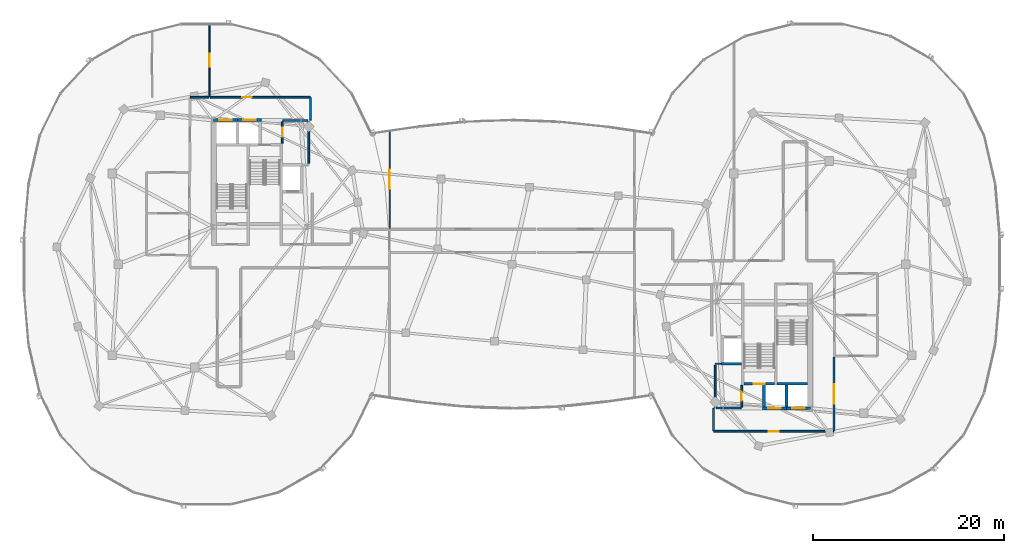
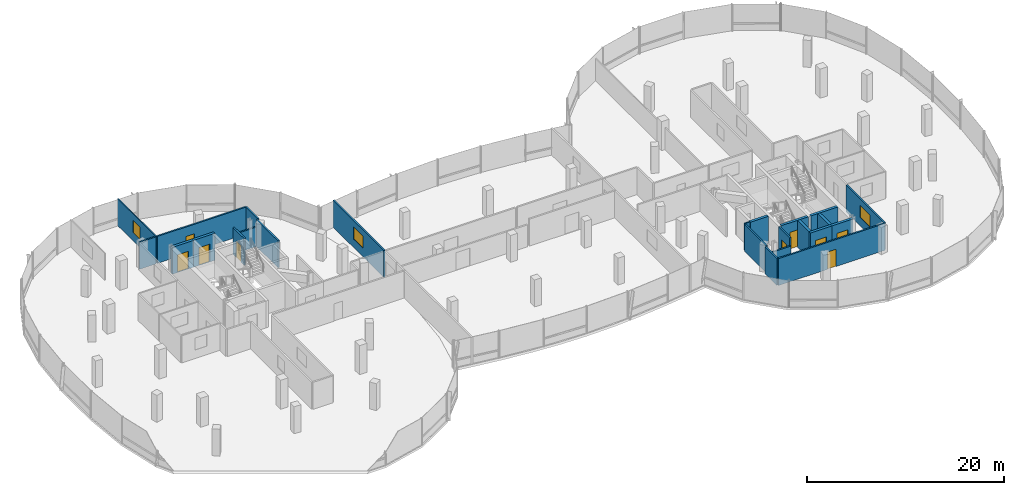
# One storey, part 15 of 25: 24 walls, 9 doors, 3 windows, 12 openings.
"""IFC4 building model written with IfcOpenShell, lengths in metres."""

from ifc_helpers import new_model, si_unit, direction, frame, frame_2d, origin, place, context, subcontext, project, spatial, rectangle, extrude, material, layer, layer_set, type_object, element, fill, save


model = new_model("IFC4")

# Units and contexts
model_context = context("Model", 3, precision=1e-05, world=origin(), true_north=direction((0.0, 1.0)))
body_context = subcontext(model_context, "Body", "Model", "MODEL_VIEW")
ifc_project = project(units=[si_unit("LENGTHUNIT", "METRE"), si_unit("AREAUNIT", "SQUARE_METRE"), si_unit("VOLUMEUNIT", "CUBIC_METRE"), si_unit("PLANEANGLEUNIT", "RADIAN"), si_unit("MASSUNIT", "GRAM", prefix="KILO"), si_unit("THERMODYNAMICTEMPERATUREUNIT", "KELVIN"), si_unit("POWERUNIT", "WATT")], contexts=[model_context])

# Site, building, storey
site_placement = place(None, origin())
site = spatial("IfcSite", under=ifc_project, at=site_placement, CompositionType="ELEMENT")
building_placement = place(site_placement, origin())
building = spatial("IfcBuilding", under=site, at=building_placement, Name="Cundina Bronze Exchange", CompositionType="ELEMENT")
storey_placement = place(building_placement, frame((0.0, 0.0, 272.0)))
storey = spatial("IfcBuildingStorey", under=building, at=storey_placement, Name="L72", CompositionType="ELEMENT", Elevation=272.0)

# Walls
ifc_material_1 = material(Name="Gypsum Fireboard Partition EI120")
ifc_layer_1 = layer(ifc_material_1, 0.179931640625, Name="Gypsum Fireboard Partition EI120")
ifc_layer_set_1 = layer_set([ifc_layer_1], Name="Gypsum Fireboard Partition EI120")
wall_type_1 = type_object("IfcWallType", Name="WL-COR-180", PredefinedType="PARTITIONING", material=ifc_layer_set_1)
wall_1_placement = place(storey_placement, frame((-21.25, 10.570068359375, 0.0), z_axis=(0.0, 0.0, 1.0), x_axis=(0.0, 1.0, 0.0)))
element("IfcWall", 1, at=wall_1_placement, inside=storey, type_object=wall_type_1, Name="L72 Interior Partition 002", PredefinedType="PARTITIONING", context=body_context, shape_type="SweptSolid", body=[
    extrude(rectangle(XDim=4.35986328125, YDim=0.179931640625, at=frame_2d((2.179931640625, 0.0))), origin(), (0.0, 0.0, 1.0), 3.340087890625),
])
wall_2_placement = place(storey_placement, frame((-23.9599609375, 15.030029296875, 0.0), z_axis=(0.0, 0.0, 1.0), x_axis=(1.0, 0.0, 0.0)))
element("IfcWall", 2, at=wall_2_placement, inside=storey, type_object=wall_type_1, Name="L72 Interior Partition 003", PredefinedType="PARTITIONING", context=body_context, shape_type="SweptSolid", body=[
    extrude(rectangle(XDim=2.60986328125, YDim=0.179931640625, at=frame_2d((1.304931640625, 0.0))), origin(), (0.0, 0.0, 1.0), 2.4130859375),
])

# Wall, opening, door
wall_3_placement = place(storey_placement, frame((-24.02001953125, 12.669921875, 0.0), z_axis=(0.0, 0.0, 1.0), x_axis=(0.0, 1.0, 0.0)))
wall_3 = element("IfcWall", 3, at=wall_3_placement, inside=storey, type_object=wall_type_1, Name="L72 Interior Partition 004", PredefinedType="PARTITIONING", context=body_context, shape_type="SweptSolid", body=[
    extrude(rectangle(XDim=2.260009765625, YDim=0.179931640625, at=frame_2d((1.1298828125, 0.0))), origin(), (0.0, 0.0, 1.0), 3.340087890625),
])
opening_1_placement = place(wall_3_placement, frame((0.655029296875, 0.0, 0.0)))
opening_1 = element("IfcOpeningElement", 4, at=opening_1_placement, cuts=wall_3, Name="Opening DW-01", PredefinedType="OPENING", context=body_context, shape_type="SweptSolid", body=[
    extrude(rectangle(XDim=0.949951171875, YDim=2.10009765625, at=frame_2d((0.47509765625, 1.050048828125))), frame((0.0, 0.099853515625, 0.0), z_axis=(0.0, -1.0, 0.0), x_axis=(1.0, 0.0, 0.0)), (0.0, 0.0, 1.0), 0.199951171875),
])
ifc_material_2 = material(Name="Solid Andean Oak Timber Grade A", Category="wood")
door_type_1 = type_object("IfcDoorType", Name="DR-WC-950", OperationType="NOTDEFINED", PredefinedType="DOOR", material=ifc_material_2)
door_1_placement = place(opening_1_placement, origin())
door_1 = element("IfcDoor", 5, at=door_1_placement, inside=storey, type_object=door_type_1, Name="L72 Interior Door 004", OperationType="SINGLE_SWING_LEFT", OverallHeight=2.10009765625, OverallWidth=0.949951171875, PredefinedType="DOOR", context=body_context, shape_type="SweptSolid", body=[
    extrude(rectangle(XDim=0.949951171875, YDim=2.10009765625, at=frame_2d((0.47509765625, 1.050048828125))), frame((0.0, 0.02490234375, 0.0), z_axis=(0.0, -1.0, 0.0), x_axis=(1.0, 0.0, 0.0)), (0.0, 0.0, 1.0), 0.050048828125),
])
fill(opening_1, door_1)

# Wall
wall_4_placement = place(storey_placement, frame((-31.72998046875, 17.469970703125, 0.0), z_axis=(0.0, 0.0, 1.0), x_axis=(-1.0, 0.0, 0.0)))
element("IfcWall", 6, at=wall_4_placement, inside=storey, type_object=wall_type_1, Name="L72 Interior Partition 020", PredefinedType="PARTITIONING", context=body_context, shape_type="SweptSolid", body=[
    extrude(rectangle(XDim=1.8984375, YDim=0.179931640625, at=frame_2d((0.94921875, 0.0))), origin(), (0.0, 0.0, 1.0), 3.340087890625),
])

# Wall, opening, door
wall_5_placement = place(storey_placement, frame((-21.12158203125, 17.469970703125, 0.0), z_axis=(0.0, 0.0, 1.0), x_axis=(-1.0, 0.0, 0.0)))
wall_5 = element("IfcWall", 7, at=wall_5_placement, inside=storey, type_object=wall_type_1, Name="L72 Interior Partition 022", PredefinedType="PARTITIONING", context=body_context, shape_type="SweptSolid", body=[
    extrude(rectangle(XDim=10.428466796875, YDim=0.179931640625, at=frame_2d((5.21435546875, 0.0))), origin(), (0.0, 0.0, 1.0), 3.340087890625),
])
opening_2_placement = place(wall_5_placement, frame((6.092529296875, 0.0, 0.0)))
opening_2 = element("IfcOpeningElement", 8, at=opening_2_placement, cuts=wall_5, Name="Opening DO-01", PredefinedType="OPENING", context=body_context, shape_type="SweptSolid", body=[
    extrude(rectangle(XDim=1.0, YDim=2.14990234375, at=frame_2d((0.5, 1.074951171875))), frame((0.0, 0.099853515625, 0.0), z_axis=(0.0, -1.0, 0.0), x_axis=(1.0, 0.0, 0.0)), (0.0, 0.0, 1.0), 0.199951171875),
])
door_type_2 = type_object("IfcDoorType", Name="DR-OFF-1000", OperationType="NOTDEFINED", PredefinedType="DOOR", material=ifc_material_2)
door_2_placement = place(opening_2_placement, origin())
door_2 = element("IfcDoor", 9, at=door_2_placement, inside=storey, type_object=door_type_2, Name="L72 Interior Door 022", OperationType="SINGLE_SWING_LEFT", OverallHeight=2.14990234375, OverallWidth=1.0, PredefinedType="DOOR", context=body_context, shape_type="SweptSolid", body=[
    extrude(rectangle(XDim=1.0, YDim=2.14990234375, at=frame_2d((0.5, 1.074951171875))), frame((0.0, 0.02490234375, 0.0), z_axis=(0.0, -1.0, 0.0), x_axis=(1.0, 0.0, 0.0)), (0.0, 0.0, 1.0), 0.050048828125),
])
fill(opening_2, door_2)

# Walls
wall_6_placement = place(storey_placement, frame((-21.080078125, 15.071533203125, 0.0), z_axis=(0.0, 0.0, 1.0), x_axis=(0.0, 1.0, 0.0)))
element("IfcWall", 10, at=wall_6_placement, inside=storey, type_object=wall_type_1, Name="L72 Interior Partition 025", PredefinedType="PARTITIONING", context=body_context, shape_type="SweptSolid", body=[
    extrude(rectangle(XDim=2.35693359375, YDim=0.179931640625, at=frame_2d((1.178466796875, 0.0))), origin(), (0.0, 0.0, 1.0), 3.340087890625),
])
wall_7_placement = place(storey_placement, frame((21.25, -14.929931640625, 0.0), z_axis=(0.0, 0.0, 1.0), x_axis=(0.0, 1.0, 0.0)))
element("IfcWall", 11, at=wall_7_placement, inside=storey, type_object=wall_type_1, Name="L72 Interior Partition 028", PredefinedType="PARTITIONING", context=body_context, shape_type="SweptSolid", body=[
    extrude(rectangle(XDim=4.35986328125, YDim=0.179931640625, at=frame_2d((2.179931640625, 0.0))), origin(), (0.0, 0.0, 1.0), 3.340087890625),
])
wall_8_placement = place(storey_placement, frame((21.35009765625, -15.030029296875, 0.0), z_axis=(0.0, 0.0, 1.0), x_axis=(1.0, 0.0, 0.0)))
element("IfcWall", 12, at=wall_8_placement, inside=storey, type_object=wall_type_1, Name="L72 Interior Partition 029", PredefinedType="PARTITIONING", context=body_context, shape_type="SweptSolid", body=[
    extrude(rectangle(XDim=2.60986328125, YDim=0.179931640625, at=frame_2d((1.304931640625, 0.0))), origin(), (0.0, 0.0, 1.0), 2.4130859375),
])

# Wall, opening, door
wall_9_placement = place(storey_placement, frame((24.02001953125, -14.929931640625, 0.0), z_axis=(0.0, 0.0, 1.0), x_axis=(0.0, 1.0, 0.0)))
wall_9 = element("IfcWall", 13, at=wall_9_placement, inside=storey, type_object=wall_type_1, Name="L72 Interior Partition 030", PredefinedType="PARTITIONING", context=body_context, shape_type="SweptSolid", body=[
    extrude(rectangle(XDim=2.260009765625, YDim=0.179931640625, at=frame_2d((1.1298828125, 0.0))), origin(), (0.0, 0.0, 1.0), 3.340087890625),
])
opening_3_placement = place(wall_9_placement, frame((0.655029296875, 0.0, 0.0)))
opening_3 = element("IfcOpeningElement", 14, at=opening_3_placement, cuts=wall_9, Name="Opening DW-01", PredefinedType="OPENING", context=body_context, shape_type="SweptSolid", body=[
    extrude(rectangle(XDim=0.949951171875, YDim=2.10009765625, at=frame_2d((0.47509765625, 1.050048828125))), frame((0.0, 0.099853515625, 0.0), z_axis=(0.0, -1.0, 0.0), x_axis=(1.0, 0.0, 0.0)), (0.0, 0.0, 1.0), 0.199951171875),
])
door_3_placement = place(opening_3_placement, origin())
door_3 = element("IfcDoor", 15, at=door_3_placement, inside=storey, type_object=door_type_1, Name="L72 Interior Door 030", OperationType="SINGLE_SWING_RIGHT", OverallHeight=2.10009765625, OverallWidth=0.949951171875, PredefinedType="DOOR", context=body_context, shape_type="SweptSolid", body=[
    extrude(rectangle(XDim=0.949951171875, YDim=2.10009765625, at=frame_2d((0.47509765625, 1.050048828125))), frame((0.0, 0.02490234375, 0.0), z_axis=(0.0, -1.0, 0.0), x_axis=(1.0, 0.0, 0.0)), (0.0, 0.0, 1.0), 0.050048828125),
])
fill(opening_3, door_3)

wall_10_placement = place(storey_placement, frame((21.12158203125, -17.469970703125, 0.0), z_axis=(0.0, 0.0, 1.0), x_axis=(1.0, 0.0, 0.0)))
wall_10 = element("IfcWall", 16, at=wall_10_placement, inside=storey, type_object=wall_type_1, Name="L72 Interior Partition 039", PredefinedType="PARTITIONING", context=body_context, shape_type="SweptSolid", body=[
    extrude(rectangle(XDim=12.5068359375, YDim=0.179931640625, at=frame_2d((6.25341796875, 0.0))), origin(), (0.0, 0.0, 1.0), 3.340087890625),
])
opening_4_placement = place(wall_10_placement, frame((5.75341796875, 0.0, 0.0)))
opening_4 = element("IfcOpeningElement", 17, at=opening_4_placement, cuts=wall_10, Name="Opening DO-01", PredefinedType="OPENING", context=body_context, shape_type="SweptSolid", body=[
    extrude(rectangle(XDim=1.0, YDim=2.14990234375, at=frame_2d((0.5, 1.074951171875))), frame((0.0, 0.099853515625, 0.0), z_axis=(0.0, -1.0, 0.0), x_axis=(1.0, 0.0, 0.0)), (0.0, 0.0, 1.0), 0.199951171875),
])
door_4_placement = place(opening_4_placement, origin())
door_4 = element("IfcDoor", 18, at=door_4_placement, inside=storey, type_object=door_type_2, Name="L72 Interior Door 039", OperationType="SINGLE_SWING_RIGHT", OverallHeight=2.14990234375, OverallWidth=1.0, PredefinedType="DOOR", context=body_context, shape_type="SweptSolid", body=[
    extrude(rectangle(XDim=1.0, YDim=2.14990234375, at=frame_2d((0.5, 1.074951171875))), frame((0.0, 0.02490234375, 0.0), z_axis=(0.0, -1.0, 0.0), x_axis=(1.0, 0.0, 0.0)), (0.0, 0.0, 1.0), 0.050048828125),
])
fill(opening_4, door_4)

# Wall, opening, window
wall_11_placement = place(storey_placement, frame((33.669921875, -17.428466796875, 0.0), z_axis=(0.0, 0.0, 1.0), x_axis=(0.0, 1.0, 0.0)))
wall_11 = element("IfcWall", 19, at=wall_11_placement, inside=storey, type_object=wall_type_1, Name="L72 Interior Partition 042", PredefinedType="PARTITIONING", context=body_context, shape_type="SweptSolid", body=[
    extrude(rectangle(XDim=7.72705078125, YDim=0.179931640625, at=frame_2d((3.863525390625, 0.0))), origin(), (0.0, 0.0, 1.0), 3.340087890625),
])
opening_5_placement = place(wall_11_placement, frame((2.864013671875, 0.0, 1.050048828125)))
opening_5 = element("IfcOpeningElement", 20, at=opening_5_placement, cuts=wall_11, Name="Opening WI-01", PredefinedType="OPENING", context=body_context, shape_type="SweptSolid", body=[
    extrude(rectangle(XDim=2.0, YDim=1.5, at=frame_2d((1.0, 0.75))), frame((0.0, 0.099853515625, 0.0), z_axis=(0.0, -1.0, 0.0), x_axis=(1.0, 0.0, 0.0)), (0.0, 0.0, 1.0), 0.199951171875),
])
ifc_material_3 = material(Name="Clear Low-E Insulating Glass 26mm", Category="glass")
window_type_1 = type_object("IfcWindowType", Name="WN-INT-2000", PartitioningType="SINGLE_PANEL", PredefinedType="WINDOW", material=ifc_material_3)
window_1_placement = place(opening_5_placement, origin())
window_1 = element("IfcWindow", 21, at=window_1_placement, inside=storey, type_object=window_type_1, Name="L72 Interior Acoustic Vision Window 042", OverallHeight=1.5, OverallWidth=2.0, PartitioningType="SINGLE_PANEL", PredefinedType="WINDOW", context=body_context, shape_type="SweptSolid", body=[
    extrude(rectangle(XDim=2.0, YDim=1.5, at=frame_2d((1.0, 0.75))), frame((0.0, 0.030029296875, 0.0), z_axis=(0.0, -1.0, 0.0), x_axis=(1.0, 0.0, 0.0)), (0.0, 0.0, 1.0), 0.06005859375),
])
fill(opening_5, window_1)

# Wall
wall_12_placement = place(storey_placement, frame((21.080078125, -15.071533203125, 0.0), z_axis=(0.0, 0.0, 1.0), x_axis=(0.0, -1.0, 0.0)))
element("IfcWall", 22, at=wall_12_placement, inside=storey, type_object=wall_type_1, Name="L72 Interior Partition 047", PredefinedType="PARTITIONING", context=body_context, shape_type="SweptSolid", body=[
    extrude(rectangle(XDim=2.35693359375, YDim=0.179931640625, at=frame_2d((1.178466796875, 0.0))), origin(), (0.0, 0.0, 1.0), 3.340087890625),
])

# Wall, opening, window
wall_13_placement = place(storey_placement, frame((-12.800048828125, 3.739990234375, 0.0), z_axis=(0.0, 0.0, 1.0), x_axis=(0.0, 1.0, 0.0)))
wall_13 = element("IfcWall", 23, at=wall_13_placement, inside=storey, type_object=wall_type_1, Name="L72 Interior Partition 058", PredefinedType="PARTITIONING", context=body_context, shape_type="SweptSolid", body=[
    extrude(rectangle(XDim=10.3037109375, YDim=0.179931640625, at=frame_2d((5.15185546875, 0.0))), origin(), (0.0, 0.0, 1.0), 3.340087890625),
])
opening_6_placement = place(wall_13_placement, frame((4.152099609375, 0.0, 1.050048828125)))
opening_6 = element("IfcOpeningElement", 24, at=opening_6_placement, cuts=wall_13, Name="Opening WI-01", PredefinedType="OPENING", context=body_context, shape_type="SweptSolid", body=[
    extrude(rectangle(XDim=2.0, YDim=1.5, at=frame_2d((1.0, 0.75))), frame((0.0, 0.099853515625, 0.0), z_axis=(0.0, -1.0, 0.0), x_axis=(1.0, 0.0, 0.0)), (0.0, 0.0, 1.0), 0.199951171875),
])
window_2_placement = place(opening_6_placement, origin())
window_2 = element("IfcWindow", 25, at=window_2_placement, inside=storey, type_object=window_type_1, Name="L72 Interior Acoustic Vision Window 058", OverallHeight=1.5, OverallWidth=2.0, PartitioningType="SINGLE_PANEL", PredefinedType="WINDOW", context=body_context, shape_type="SweptSolid", body=[
    extrude(rectangle(XDim=2.0, YDim=1.5, at=frame_2d((1.0, 0.75))), frame((0.0, 0.030029296875, 0.0), z_axis=(0.0, -1.0, 0.0), x_axis=(1.0, 0.0, 0.0)), (0.0, 0.0, 1.0), 0.06005859375),
])
fill(opening_6, window_2)

ifc_material_4 = material(Name="Gypsum Acoustic Partition EI60")
ifc_layer_2 = layer(ifc_material_4, 0.125, Name="Gypsum Acoustic Partition EI60")
ifc_layer_set_2 = layer_set([ifc_layer_2], Name="Gypsum Acoustic Partition EI60")
wall_type_2 = type_object("IfcWallType", Name="WL-OFF-125", PredefinedType="PARTITIONING", material=ifc_layer_set_2)
wall_14_placement = place(storey_placement, frame((-31.639892578125, 17.5, 0.0), z_axis=(0.0, 0.0, 1.0), x_axis=(0.0, 1.0, 0.0)))
wall_14 = element("IfcWall", 26, at=wall_14_placement, inside=storey, type_object=wall_type_2, Name="L72 Interior Partition 013", PredefinedType="PARTITIONING", context=body_context, shape_type="SweptSolid", body=[
    extrude(rectangle(XDim=7.68994140625, YDim=0.125, at=frame_2d((3.844970703125, 0.0))), origin(), (0.0, 0.0, 1.0), 3.340087890625),
])
opening_7_placement = place(wall_14_placement, frame((3.14501953125, 0.0, 1.050048828125)))
opening_7 = element("IfcOpeningElement", 27, at=opening_7_placement, cuts=wall_14, Name="Opening WI-02", PredefinedType="OPENING", context=body_context, shape_type="SweptSolid", body=[
    extrude(rectangle(XDim=1.39990234375, YDim=1.5, at=frame_2d((0.699951171875, 0.75))), frame((0.0, 0.072509765625, 0.0), z_axis=(0.0, -1.0, 0.0), x_axis=(1.0, 0.0, 0.0)), (0.0, 0.0, 1.0), 0.14501953125),
])
window_type_2 = type_object("IfcWindowType", Name="WN-INT-1400", PartitioningType="SINGLE_PANEL", PredefinedType="WINDOW", material=ifc_material_3)
window_3_placement = place(opening_7_placement, origin())
window_3 = element("IfcWindow", 28, at=window_3_placement, inside=storey, type_object=window_type_2, Name="L72 Interior Acoustic Vision Window 013", OverallHeight=1.5, OverallWidth=1.39990234375, PartitioningType="SINGLE_PANEL", PredefinedType="WINDOW", context=body_context, shape_type="SweptSolid", body=[
    extrude(rectangle(XDim=1.39990234375, YDim=1.5, at=frame_2d((0.699951171875, 0.75))), frame((0.0, 0.030029296875, 0.0), z_axis=(0.0, -1.0, 0.0), x_axis=(1.0, 0.0, 0.0)), (0.0, 0.0, 1.0), 0.06005859375),
])
fill(opening_7, window_3)

# Wall, opening, door
ifc_material_5 = material(Name="Concrete C50/60", Category="concrete")
ifc_layer_3 = layer(ifc_material_5, 0.300048828125, Name="Concrete C50/60", Category="concrete")
ifc_layer_set_3 = layer_set([ifc_layer_3], Name="Concrete C50/60")
wall_type_3 = type_object("IfcWallType", Name="WL-SHFT-300", PredefinedType="SHEAR", material=ifc_layer_set_3)
wall_15_placement = place(storey_placement, frame((-31.199951171875, 15.10009765625, 0.0), z_axis=(0.0, 0.0, 1.0), x_axis=(1.0, 0.0, 0.0)))
wall_15 = element("IfcWall", 29, at=wall_15_placement, inside=storey, type_object=wall_type_3, Name="L72 PH-W1 Hoistway Front Wall", PredefinedType="SHEAR", context=body_context, shape_type="SweptSolid", body=[
    extrude(rectangle(XDim=2.5, YDim=0.300048828125, at=frame_2d((1.25, 0.0))), origin(), (0.0, 0.0, 1.0), 3.340087890625),
])
opening_8_placement = place(wall_15_placement, frame((0.60009765625, 0.0, 0.0)))
opening_8 = element("IfcOpeningElement", 30, at=opening_8_placement, cuts=wall_15, Name="Opening LD-02", PredefinedType="OPENING", context=body_context, shape_type="SweptSolid", body=[
    extrude(rectangle(XDim=1.300048828125, YDim=2.199951171875, at=frame_2d((0.64990234375, 1.10009765625))), frame((0.0, 0.159912109375, 0.0), z_axis=(0.0, -1.0, 0.0), x_axis=(1.0, 0.0, 0.0)), (0.0, 0.0, 1.0), 0.320068359375),
])
ifc_material_6 = material(Name="Steel ASTM A36 Painted", Category="steel")
door_type_3 = type_object("IfcDoorType", Name="DR-LND-1300", OperationType="NOTDEFINED", PredefinedType="TRAPDOOR", material=ifc_material_6)
door_5_placement = place(opening_8_placement, origin())
door_5 = element("IfcDoor", 31, at=door_5_placement, inside=storey, type_object=door_type_3, Name="L72 PH-W1 Sliding Landing Door", OperationType="SLIDING_TO_LEFT", OverallHeight=2.199951171875, OverallWidth=1.300048828125, PredefinedType="TRAPDOOR", context=body_context, shape_type="SweptSolid", body=[
    extrude(rectangle(XDim=1.300048828125, YDim=2.199951171875, at=frame_2d((0.64990234375, 1.10009765625))), frame((0.0, 0.02490234375, 0.0), z_axis=(0.0, -1.0, 0.0), x_axis=(1.0, 0.0, 0.0)), (0.0, 0.0, 1.0), 0.050048828125),
])
fill(opening_8, door_5)

wall_16_placement = place(storey_placement, frame((-28.699951171875, 15.10009765625, 0.0), z_axis=(0.0, 0.0, 1.0), x_axis=(1.0, 0.0, 0.0)))
wall_16 = element("IfcWall", 32, at=wall_16_placement, inside=storey, type_object=wall_type_3, Name="L72 PH-W2 Hoistway Front Wall", PredefinedType="SHEAR", context=body_context, shape_type="SweptSolid", body=[
    extrude(rectangle(XDim=2.5, YDim=0.300048828125, at=frame_2d((1.25, 0.0))), origin(), (0.0, 0.0, 1.0), 3.340087890625),
])
opening_9_placement = place(wall_16_placement, frame((0.60009765625, 0.0, 0.0)))
opening_9 = element("IfcOpeningElement", 33, at=opening_9_placement, cuts=wall_16, Name="Opening LD-02", PredefinedType="OPENING", context=body_context, shape_type="SweptSolid", body=[
    extrude(rectangle(XDim=1.300048828125, YDim=2.199951171875, at=frame_2d((0.64990234375, 1.10009765625))), frame((0.0, 0.159912109375, 0.0), z_axis=(0.0, -1.0, 0.0), x_axis=(1.0, 0.0, 0.0)), (0.0, 0.0, 1.0), 0.320068359375),
])
door_6_placement = place(opening_9_placement, origin())
door_6 = element("IfcDoor", 34, at=door_6_placement, inside=storey, type_object=door_type_3, Name="L72 PH-W2 Sliding Landing Door", OperationType="SLIDING_TO_LEFT", OverallHeight=2.199951171875, OverallWidth=1.300048828125, PredefinedType="TRAPDOOR", context=body_context, shape_type="SweptSolid", body=[
    extrude(rectangle(XDim=1.300048828125, YDim=2.199951171875, at=frame_2d((0.64990234375, 1.10009765625))), frame((0.0, 0.02490234375, 0.0), z_axis=(0.0, -1.0, 0.0), x_axis=(1.0, 0.0, 0.0)), (0.0, 0.0, 1.0), 0.050048828125),
])
fill(opening_9, door_6)

# Wall
wall_17_placement = place(storey_placement, frame((27.739990234375, -12.5, 0.0), z_axis=(0.0, 0.0, 1.0), x_axis=(1.0, 0.0, 0.0)))
element("IfcWall", 35, at=wall_17_placement, inside=storey, type_object=wall_type_3, Name="L72 Stair E1 Far Shaft Wall", PredefinedType="SHEAR", context=body_context, shape_type="SweptSolid", body=[
    extrude(rectangle(XDim=3.159912109375, YDim=0.300048828125, at=frame_2d((1.580078125, 0.0))), origin(), (0.0, 0.0, 1.0), 3.340087890625),
])

# Wall, opening, door
wall_18_placement = place(storey_placement, frame((24.280029296875, -12.5, 0.0), z_axis=(0.0, 0.0, 1.0), x_axis=(1.0, 0.0, 0.0)))
wall_18 = element("IfcWall", 36, at=wall_18_placement, inside=storey, type_object=wall_type_3, Name="L72 Stair E2 Landing Wall", PredefinedType="SHEAR", context=body_context, shape_type="SweptSolid", body=[
    extrude(rectangle(XDim=3.159912109375, YDim=0.300048828125, at=frame_2d((1.580078125, 0.0))), origin(), (0.0, 0.0, 1.0), 3.340087890625),
])
opening_10_placement = place(wall_18_placement, frame((1.030029296875, 0.0, 0.0)))
opening_10 = element("IfcOpeningElement", 37, at=opening_10_placement, cuts=wall_18, Name="Opening DS-01", PredefinedType="OPENING", context=body_context, shape_type="SweptSolid", body=[
    extrude(rectangle(XDim=1.10009765625, YDim=2.14990234375, at=frame_2d((0.550048828125, 1.074951171875))), frame((0.0, 0.159912109375, 0.0), z_axis=(0.0, -1.0, 0.0), x_axis=(1.0, 0.0, 0.0)), (0.0, 0.0, 1.0), 0.320068359375),
])
door_type_4 = type_object("IfcDoorType", Name="DR-STR-1100", OperationType="NOTDEFINED", PredefinedType="DOOR", material=ifc_material_6)
door_7_placement = place(opening_10_placement, origin())
door_7 = element("IfcDoor", 38, at=door_7_placement, inside=storey, type_object=door_type_4, Name="L72 Smokeproof Stair E2 Door", OperationType="SINGLE_SWING_RIGHT", OverallHeight=2.14990234375, OverallWidth=1.10009765625, PredefinedType="DOOR", context=body_context, shape_type="SweptSolid", body=[
    extrude(rectangle(XDim=1.10009765625, YDim=2.14990234375, at=frame_2d((0.550048828125, 1.074951171875))), frame((0.0, 0.02490234375, 0.0), z_axis=(0.0, -1.0, 0.0), x_axis=(1.0, 0.0, 0.0)), (0.0, 0.0, 1.0), 0.050048828125),
])
fill(opening_10, door_7)

# Wall
wall_19_placement = place(storey_placement, frame((21.8798828125, -10.39990234375, 0.0), z_axis=(0.0, 0.0, 1.0), x_axis=(1.0, 0.0, 0.0)))
element("IfcWall", 39, at=wall_19_placement, inside=storey, type_object=wall_type_3, Name="L72 FFL-E Hoistway Back Wall", PredefinedType="SHEAR", context=body_context, shape_type="SweptSolid", body=[
    extrude(rectangle(XDim=2.10009765625, YDim=0.300048828125, at=frame_2d((1.050048828125, 0.0))), origin(), (0.0, 0.0, 1.0), 3.340087890625),
])

# Wall, opening, door
wall_20_placement = place(storey_placement, frame((28.699951171875, -15.10009765625, 0.0), z_axis=(0.0, 0.0, 1.0), x_axis=(1.0, 0.0, 0.0)))
wall_20 = element("IfcWall", 40, at=wall_20_placement, inside=storey, type_object=wall_type_3, Name="L72 PH-E1 Hoistway Front Wall", PredefinedType="SHEAR", context=body_context, shape_type="SweptSolid", body=[
    extrude(rectangle(XDim=2.5, YDim=0.300048828125, at=frame_2d((1.25, 0.0))), origin(), (0.0, 0.0, 1.0), 3.340087890625),
])
opening_11_placement = place(wall_20_placement, frame((0.60009765625, 0.0, 0.0)))
opening_11 = element("IfcOpeningElement", 41, at=opening_11_placement, cuts=wall_20, Name="Opening LD-02", PredefinedType="OPENING", context=body_context, shape_type="SweptSolid", body=[
    extrude(rectangle(XDim=1.300048828125, YDim=2.199951171875, at=frame_2d((0.64990234375, 1.10009765625))), frame((0.0, 0.159912109375, 0.0), z_axis=(0.0, -1.0, 0.0), x_axis=(1.0, 0.0, 0.0)), (0.0, 0.0, 1.0), 0.320068359375),
])
door_8_placement = place(opening_11_placement, origin())
door_8 = element("IfcDoor", 42, at=door_8_placement, inside=storey, type_object=door_type_3, Name="L72 PH-E1 Sliding Landing Door", OperationType="SLIDING_TO_LEFT", OverallHeight=2.199951171875, OverallWidth=1.300048828125, PredefinedType="TRAPDOOR", context=body_context, shape_type="SweptSolid", body=[
    extrude(rectangle(XDim=1.300048828125, YDim=2.199951171875, at=frame_2d((0.64990234375, 1.10009765625))), frame((0.0, 0.02490234375, 0.0), z_axis=(0.0, -1.0, 0.0), x_axis=(1.0, 0.0, 0.0)), (0.0, 0.0, 1.0), 0.050048828125),
])
fill(opening_11, door_8)

# Wall
wall_21_placement = place(storey_placement, frame((28.699951171875, -14.949951171875, 0.0), z_axis=(0.0, 0.0, 1.0), x_axis=(0.0, 1.0, 0.0)))
element("IfcWall", 43, at=wall_21_placement, inside=storey, type_object=wall_type_3, Name="L72 PH-E1 Hoistway Divider Wall", PredefinedType="SHEAR", context=body_context, shape_type="SweptSolid", body=[
    extrude(rectangle(XDim=2.300048828125, YDim=0.300048828125, at=frame_2d((1.14990234375, 0.0))), origin(), (0.0, 0.0, 1.0), 3.340087890625),
])

# Wall, opening, door
wall_22_placement = place(storey_placement, frame((26.199951171875, -15.10009765625, 0.0), z_axis=(0.0, 0.0, 1.0), x_axis=(1.0, 0.0, 0.0)))
wall_22 = element("IfcWall", 44, at=wall_22_placement, inside=storey, type_object=wall_type_3, Name="L72 PH-E2 Hoistway Front Wall", PredefinedType="SHEAR", context=body_context, shape_type="SweptSolid", body=[
    extrude(rectangle(XDim=2.5, YDim=0.300048828125, at=frame_2d((1.25, 0.0))), origin(), (0.0, 0.0, 1.0), 3.340087890625),
])
opening_12_placement = place(wall_22_placement, frame((0.60009765625, 0.0, 0.0)))
opening_12 = element("IfcOpeningElement", 45, at=opening_12_placement, cuts=wall_22, Name="Opening LD-02", PredefinedType="OPENING", context=body_context, shape_type="SweptSolid", body=[
    extrude(rectangle(XDim=1.300048828125, YDim=2.199951171875, at=frame_2d((0.64990234375, 1.10009765625))), frame((0.0, 0.159912109375, 0.0), z_axis=(0.0, -1.0, 0.0), x_axis=(1.0, 0.0, 0.0)), (0.0, 0.0, 1.0), 0.320068359375),
])
door_9_placement = place(opening_12_placement, origin())
door_9 = element("IfcDoor", 46, at=door_9_placement, inside=storey, type_object=door_type_3, Name="L72 PH-E2 Sliding Landing Door", OperationType="SLIDING_TO_LEFT", OverallHeight=2.199951171875, OverallWidth=1.300048828125, PredefinedType="TRAPDOOR", context=body_context, shape_type="SweptSolid", body=[
    extrude(rectangle(XDim=1.300048828125, YDim=2.199951171875, at=frame_2d((0.64990234375, 1.10009765625))), frame((0.0, 0.02490234375, 0.0), z_axis=(0.0, -1.0, 0.0), x_axis=(1.0, 0.0, 0.0)), (0.0, 0.0, 1.0), 0.050048828125),
])
fill(opening_12, door_9)

# Walls
wall_23_placement = place(storey_placement, frame((26.35009765625, -14.949951171875, 0.0), z_axis=(0.0, 0.0, 1.0), x_axis=(0.0, 1.0, 0.0)))
element("IfcWall", 47, at=wall_23_placement, inside=storey, type_object=wall_type_3, Name="L72 PH-E2 Hoistway Divider Wall", PredefinedType="SHEAR", context=body_context, shape_type="SweptSolid", body=[
    extrude(rectangle(XDim=2.300048828125, YDim=0.300048828125, at=frame_2d((1.14990234375, 0.0))), origin(), (0.0, 0.0, 1.0), 3.340087890625),
])
ifc_material_7 = material(Name="Moisture-Resistant Masonry Block Grade M15", Category="masonry")
ifc_layer_4 = layer(ifc_material_7, 0.139892578125, Name="Moisture-Resistant Masonry Block Grade M15", Category="masonry")
ifc_layer_set_4 = layer_set([ifc_layer_4], Name="Moisture-Resistant Masonry Block Grade M15")
wall_type_4 = type_object("IfcWallType", Name="WL-WET-140", PredefinedType="PARTITIONING", material=ifc_layer_set_4)
wall_24_placement = place(storey_placement, frame((21.27001953125, -10.39990234375, 0.0), z_axis=(0.0, 0.0, 1.0), x_axis=(1.0, 0.0, 0.0)))
element("IfcWall", 48, at=wall_24_placement, inside=storey, type_object=wall_type_4, Name="L72 Interior Partition 027", PredefinedType="PARTITIONING", context=body_context, shape_type="SweptSolid", body=[
    extrude(rectangle(XDim=0.590087890625, YDim=0.139892578125, at=frame_2d((0.294921875, 0.0))), origin(), (0.0, 0.0, 1.0), 3.340087890625),
])

save(model, "model.ifc")
